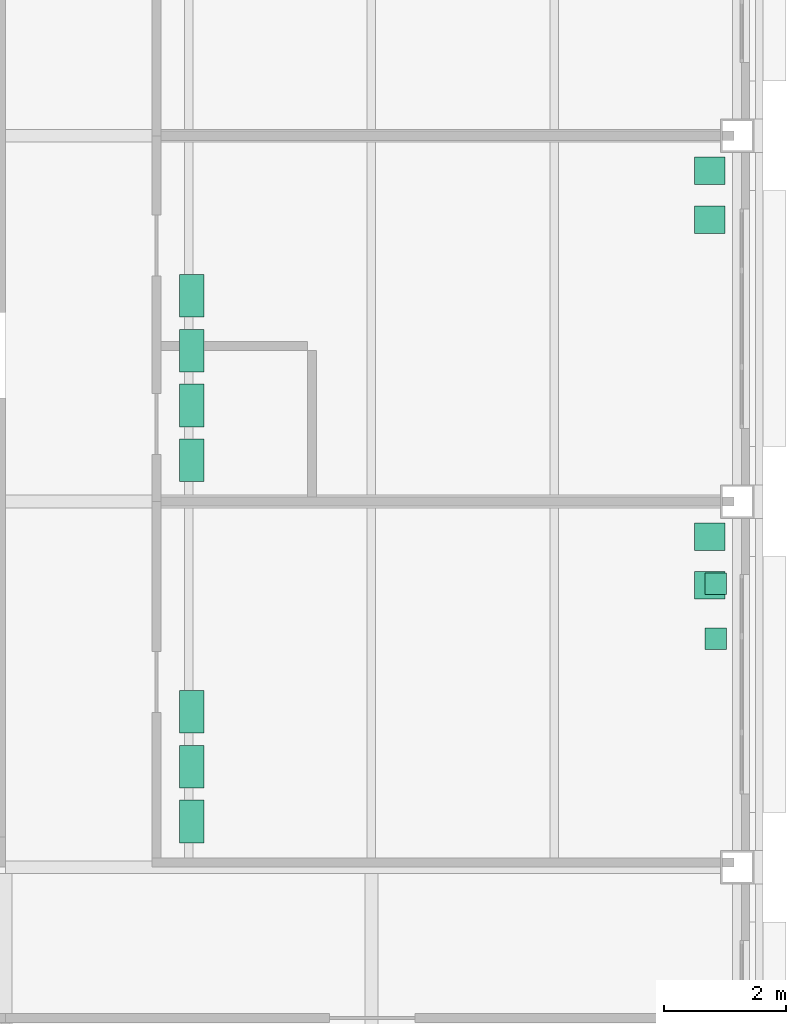
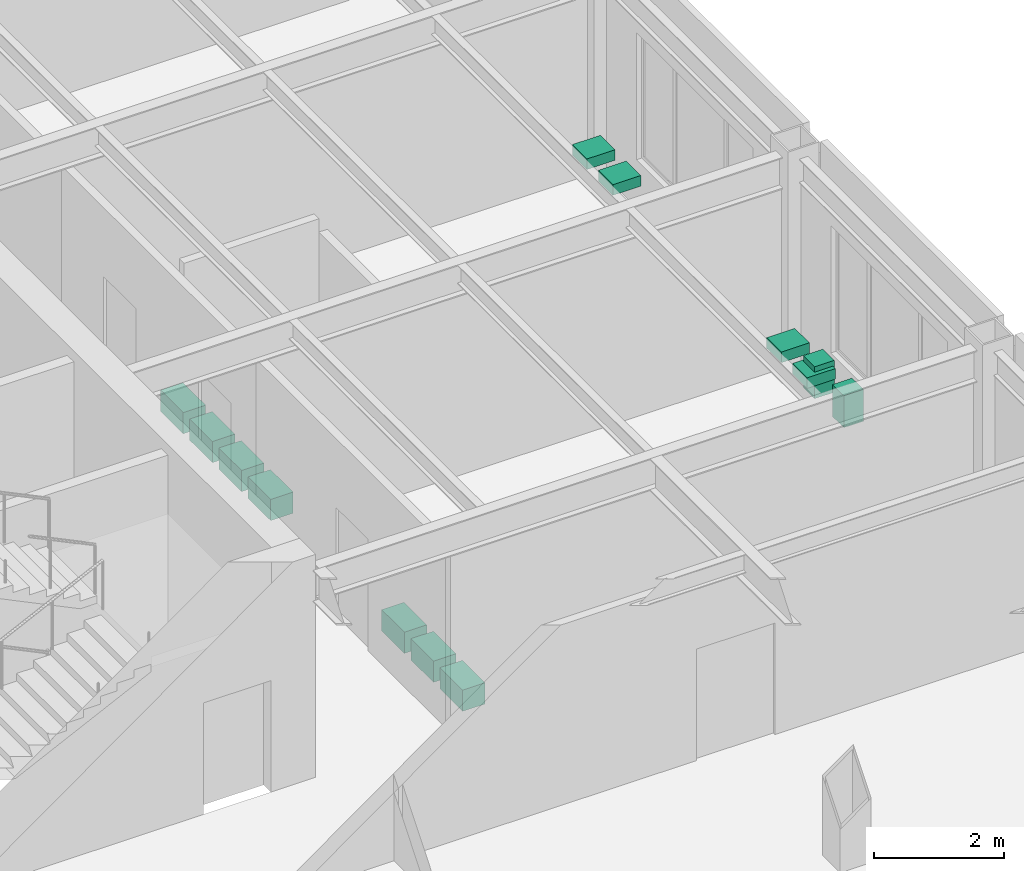
# One storey, part 39 of 39: 13 sanitary terminals.
"""IFC4 building model written with IfcOpenShell, lengths in metres."""

from ifc_helpers import new_model, si_unit, direction, frame, origin, origin_2d, place, context, subcontext, project, spatial, rectangle, extrude, material, type_object, element, save


model = new_model("IFC4")

# Units and contexts
model_context = context("Model", 3, precision=1e-05, world=origin(), true_north=direction((0.0, 1.0)))
body_context = subcontext(model_context, "Body", "Model", "MODEL_VIEW")
ifc_project = project(units=[si_unit("LENGTHUNIT", "METRE"), si_unit("AREAUNIT", "SQUARE_METRE"), si_unit("VOLUMEUNIT", "CUBIC_METRE"), si_unit("PLANEANGLEUNIT", "RADIAN"), si_unit("MASSUNIT", "GRAM", prefix="KILO")], contexts=[model_context])

# Site, building, storey
site_placement = place(None, origin())
site = spatial("IfcSite", under=ifc_project, at=site_placement, CompositionType="ELEMENT")
building_placement = place(site_placement, origin())
building = spatial("IfcBuilding", under=site, at=building_placement, Name="Aravalli Gate Trade Fair Centre", CompositionType="ELEMENT")
storey_placement = place(building_placement, frame((0.0, 0.0, 15.0)))
storey = spatial("IfcBuildingStorey", under=building, at=storey_placement, Name="L03", CompositionType="ELEMENT", Elevation=15.0)

# Sanitary terminals
ifc_material = material(Name="Vitreous china")
sanitary_terminal_type_1 = type_object("IfcSanitaryTerminalType", Name="Wing toilet pan", PredefinedType="TOILETPAN", material=ifc_material)
for number, where, z_axis, x_axis, name in (
    (1, (193.050048828125, 103.75, 0.0), (0.0, 0.0, 1.0), (1.0, 0.0, 0.0), "Wing toilet pan E1.wc1 L03"),
    (2, (193.050048828125, 104.64990234375, 0.0), (0.0, 0.0, 1.0), (1.0, 0.0, 0.0), "Wing toilet pan E1.wc2 L03"),
    (3, (193.050048828125, 105.550048828125, 0.0), (0.0, 0.0, 1.0), (1.0, 0.0, 0.0), "Wing toilet pan E1.wc3 L03"),
    (4, (193.050048828125, 109.675048828125, 0.0), (0.0, 0.0, 1.0), (1.0, 0.0, 0.0), "Wing toilet pan E2.wc1 L03"),
    (5, (193.050048828125, 110.574951171875, 0.0), (0.0, 0.0, 1.0), (1.0, 0.0, 0.0), "Wing toilet pan E2.wc2 L03"),
    (6, (193.050048828125, 111.47509765625, 0.0), (0.0, 0.0, 1.0), (1.0, 0.0, 0.0), "Wing toilet pan E2.wc3 L03"),
    (7, (193.050048828125, 112.375, 0.0), (0.0, 0.0, 1.0), (1.0, 0.0, 0.0), "Wing toilet pan E2.wc4 L03"),
):
    element("IfcSanitaryTerminal", number, at=place(storey_placement, frame(where, z_axis=z_axis, x_axis=x_axis)), inside=storey, type_object=sanitary_terminal_type_1, Name=name, PredefinedType="TOILETPAN", context=body_context, shape_type="SweptSolid", body=[
        extrude(rectangle(XDim=0.39990234375, YDim=0.699951171875, at=origin_2d()), origin(), (0.0, 0.0, 1.0), 0.39990234375),
    ])
sanitary_terminal_type_2 = type_object("IfcSanitaryTerminalType", Name="Wing urinal", PredefinedType="URINAL", material=ifc_material)
for number, where, z_axis, x_axis, name in (
    (8, (201.64990234375, 106.75, 0.39990234375), (0.0, 0.0, 1.0), (1.0, 0.0, 0.0), "Wing urinal E1.ur1 L03"),
    (9, (201.64990234375, 107.64990234375, 0.39990234375), (0.0, 0.0, 1.0), (1.0, 0.0, 0.0), "Wing urinal E1.ur2 L03"),
):
    element("IfcSanitaryTerminal", number, at=place(storey_placement, frame(where, z_axis=z_axis, x_axis=x_axis)), inside=storey, type_object=sanitary_terminal_type_2, Name=name, PredefinedType="URINAL", context=body_context, shape_type="SweptSolid", body=[
        extrude(rectangle(XDim=0.35009765625, YDim=0.35009765625, at=origin_2d()), origin(), (0.0, 0.0, 1.0), 0.60009765625),
    ])
sanitary_terminal_type_3 = type_object("IfcSanitaryTerminalType", Name="Wing wash hand basin", PredefinedType="WASHHANDBASIN", material=ifc_material)
for number, where, z_axis, x_axis, name in (
    (10, (201.550048828125, 108.425048828125, 0.7001953125), (0.0, 0.0, 1.0), (1.0, 0.0, 0.0), "Wing wash hand basin E1.wb1 L03"),
    (11, (201.550048828125, 107.625, 0.7001953125), (0.0, 0.0, 1.0), (1.0, 0.0, 0.0), "Wing wash hand basin E1.wb2 L03"),
    (12, (201.550048828125, 114.425048828125, 0.7001953125), (0.0, 0.0, 1.0), (1.0, 0.0, 0.0), "Wing wash hand basin E2.wb1 L03"),
    (13, (201.550048828125, 113.625, 0.7001953125), (0.0, 0.0, 1.0), (1.0, 0.0, 0.0), "Wing wash hand basin E2.wb2 L03"),
):
    element("IfcSanitaryTerminal", number, at=place(storey_placement, frame(where, z_axis=z_axis, x_axis=x_axis)), inside=storey, type_object=sanitary_terminal_type_3, Name=name, PredefinedType="WASHHANDBASIN", context=body_context, shape_type="SweptSolid", body=[
        extrude(rectangle(XDim=0.5, YDim=0.449951171875, at=origin_2d()), origin(), (0.0, 0.0, 1.0), 0.199951171875),
    ])

save(model, "model.ifc")
